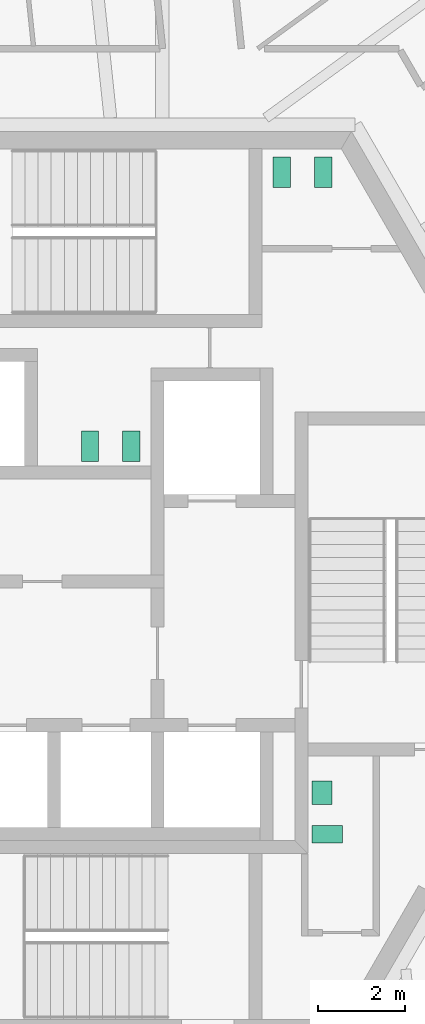
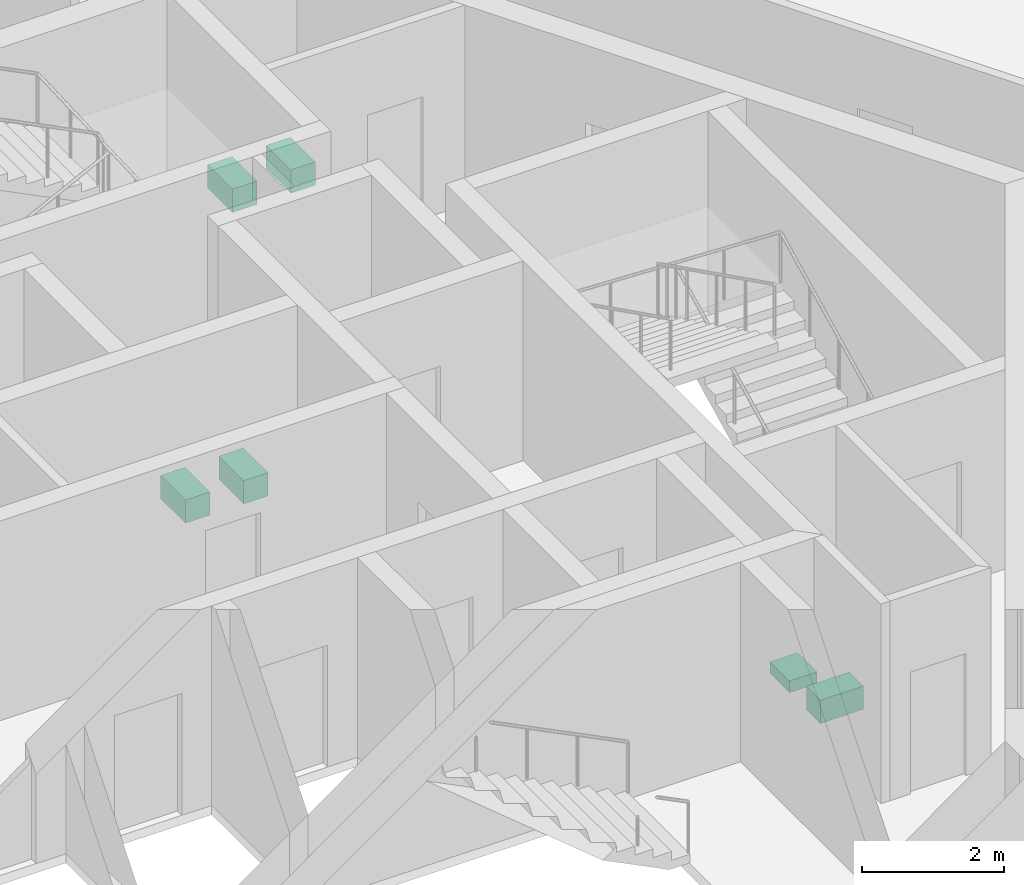
# One storey, part 18 of 20: 6 sanitary terminals.
"""IFC4 building model written with IfcOpenShell, lengths in metres."""

from ifc_helpers import new_model, si_unit, direction, frame, origin, origin_2d, place, context, subcontext, project, spatial, rectangle, extrude, source, transform, mapped, material, element, save


model = new_model("IFC4")

# Units and contexts
model_context = context("Model", 3, precision=1e-05, world=origin(), true_north=direction((0.0, 1.0)))
body_context = subcontext(model_context, "Body", "Model", "MODEL_VIEW")
ifc_project = project(units=[si_unit("LENGTHUNIT", "METRE"), si_unit("AREAUNIT", "SQUARE_METRE"), si_unit("VOLUMEUNIT", "CUBIC_METRE"), si_unit("PLANEANGLEUNIT", "RADIAN"), si_unit("MASSUNIT", "GRAM", prefix="KILO")], contexts=[model_context])

# Site, building, storey
site_placement = place(None, origin())
site = spatial("IfcSite", under=ifc_project, at=site_placement, CompositionType="ELEMENT")
building_placement = place(site_placement, origin())
building = spatial("IfcBuilding", under=site, at=building_placement, Name="Triune Harvest Tower", CompositionType="ELEMENT")
storey_placement = place(building_placement, frame((0.0, 0.0, 226.89990234375)))
storey = spatial("IfcBuildingStorey", under=building, at=storey_placement, Name="L59", CompositionType="ELEMENT", Elevation=226.89990234375)

# Sanitary terminals
ifc_material = material(Name="Vitreous china")
shared_shape_1 = source(origin(), body_context, "Body", "SweptSolid", [
    extrude(rectangle(XDim=0.39990234375, YDim=0.699951171875, at=origin_2d()), origin(), (0.0, 0.0, 1.0), 0.39990234375),
])
for number, where, z_axis, x_axis, name in (
    (1, (4.39990234375, 9.449951171875, 0.000244140625), (0.0, 0.0, 1.0), (1.0, 0.0, 0.0), "Toilet pan L59.c01"),
    (2, (5.35009765625, 9.449951171875, 0.000244140625), (0.0, 0.0, 1.0), (1.0, 0.0, 0.0), "Toilet pan L59.c02"),
    (3, (0.949951171875, 3.159912109375, 0.000244140625), (0.0, 0.0, 1.0), (-1.0, 0.0, 0.0), "Toilet pan L59.c03"),
    (4, (0.0, 3.159912109375, 0.000244140625), (0.0, 0.0, 1.0), (-1.0, 0.0, 0.0), "Toilet pan L59.c04"),
    (5, (5.449951171875, -5.739990234375, 0.000244140625), (0.0, 0.0, 1.0), (0.0, 1.0, 0.0), "Toilet pan L59.c05"),
):
    element("IfcSanitaryTerminal", number, at=place(storey_placement, frame(where, z_axis=z_axis, x_axis=x_axis)), inside=storey, material=ifc_material, Name=name, PredefinedType="TOILETPAN", context=body_context, shape_type="MappedRepresentation", body=[
        mapped(shared_shape_1, transform((0.0, 0.0, 0.0), scale=1.0)),
    ])
shared_shape_2 = source(origin(), body_context, "Body", "SweptSolid", [
    extrude(rectangle(XDim=0.550048828125, YDim=0.449951171875, at=origin_2d()), origin(), (0.0, 0.0, 1.0), 0.199951171875),
])
sanitary_terminal_placement = place(storey_placement, frame((5.324951171875, -4.7900390625, 0.0), z_axis=(0.0, 0.0, 1.0), x_axis=(0.0, 1.0, 0.0)))
element("IfcSanitaryTerminal", 6, at=sanitary_terminal_placement, inside=storey, material=ifc_material, Name="Wash basin L59.c06", PredefinedType="WASHHANDBASIN", context=body_context, shape_type="MappedRepresentation", body=[
    mapped(shared_shape_2, transform((0.0, 0.0, 0.0), scale=1.0)),
])

save(model, "model.ifc")
